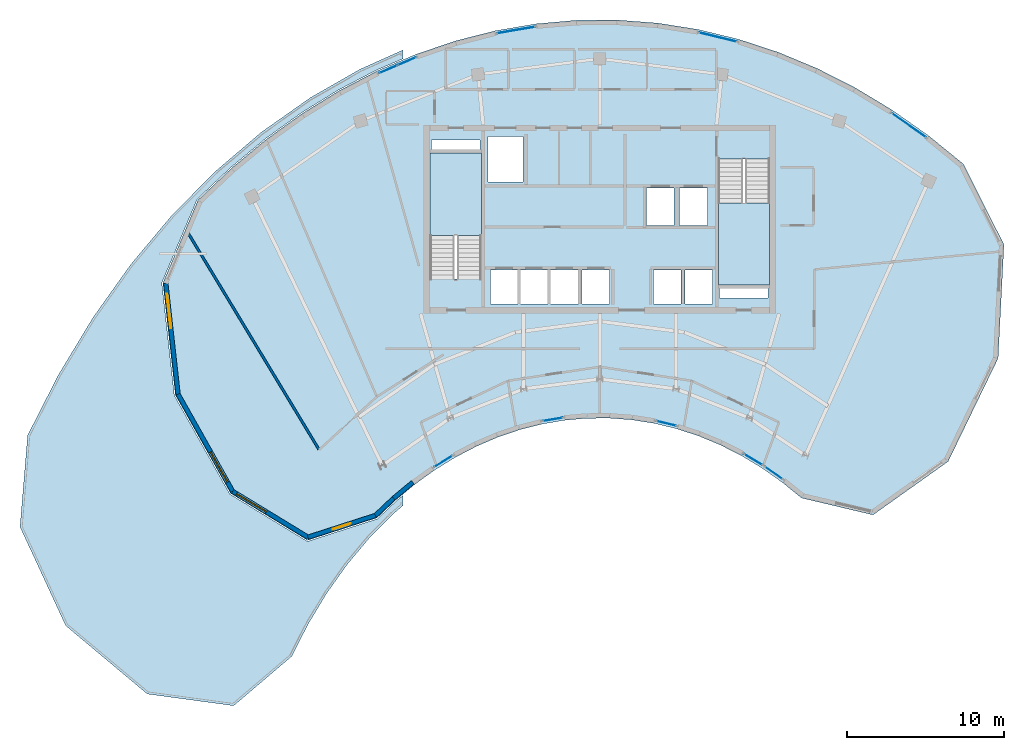
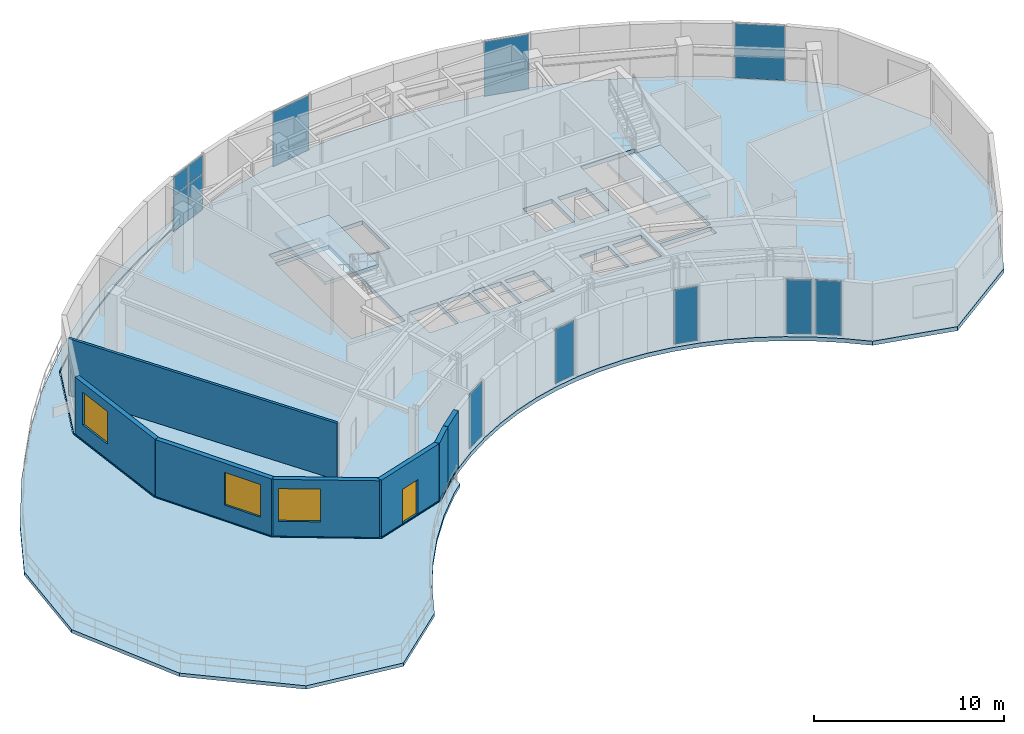
# One storey, part 5 of 11: 12 plates, 7 walls, 4 slabs, 3 windows, 1 door, 4 openings, 11 elements without a shape of their own.
"""IFC4 building model written with IfcOpenShell, lengths in metres."""

import ifcopenshell
import ifcopenshell.guid

model = None  # the IFC model being written
_history = None  # IfcOwnerHistory: only IFC2X3 demands one
_inside = {}  # id of a spatial element -> (the spatial element, [elements in it])
_under = {}  # id of a project, library or spatial element -> (it, [spatial elements below it])
_declared = {}  # id of a project -> (the project, [libraries it declares])
_typed = {}  # id of a type object -> (the type object, [elements of that type])
_made_of = {}  # id of a material, layer set ... -> (it, [elements and type objects made of it])


def new_model(schema):
    """Start an empty IFC model of exactly this schema.

    Asked for "IFC4X3", IfcOpenShell would pick the latest addendum, in which some entities
    have other attributes; the version numbers below select the first issue.
    IFC2X3 requires an IfcOwnerHistory on every rooted entity: one is made here for all.
    """
    global model, _history
    if schema == "IFC4X3":
        model = ifcopenshell.file(schema_version=(4, 3, 0, 0))
    else:
        model = ifcopenshell.file(schema=schema)
    _inside.clear()
    _under.clear()
    _declared.clear()
    _typed.clear()
    _made_of.clear()
    _history = None
    if model.schema == "IFC2X3":
        org = make("IfcOrganization", Name="unknown")
        user = make(
            "IfcPersonAndOrganization",
            ThePerson=make("IfcPerson", FamilyName="unknown"),
            TheOrganization=org,
        )
        app = make(
            "IfcApplication",
            ApplicationDeveloper=org,
            Version="unknown",
            ApplicationFullName="unknown",
            ApplicationIdentifier="unknown",
        )
        _history = make(
            "IfcOwnerHistory",
            OwningUser=user,
            OwningApplication=app,
            ChangeAction="ADDED",
            CreationDate=0,
        )
    return model


def make(cls, **values):
    """One entity of the class cls with the attributes given. An attribute that is None is left unset."""
    return model.create_entity(
        cls, **{name: value for name, value in values.items() if value is not None}
    )


def rooted(cls, **values):
    """An entity with a GlobalId (a new one), such as an element, a storey or a relation."""
    return make(cls, GlobalId=ifcopenshell.guid.new(), OwnerHistory=_history, **values)


def si_unit(unit_type, name, prefix=None):
    """IfcSIUnit, for example si_unit("LENGTHUNIT", "METRE", prefix="MILLI")."""
    return make("IfcSIUnit", UnitType=unit_type, Prefix=prefix, Name=name)


def assignment(units):
    """IfcUnitAssignment: the units of a project."""
    return None if units is None else make("IfcUnitAssignment", Units=units)


def point(xyz):
    """IfcCartesianPoint."""
    return None if xyz is None else make("IfcCartesianPoint", Coordinates=xyz)


def direction(xyz):
    """IfcDirection."""
    return None if xyz is None else make("IfcDirection", DirectionRatios=xyz)


def frame(location, z_axis=None, x_axis=None):
    """IfcAxis2Placement3D, a coordinate frame: its origin and axes. An axis left out is left unset."""
    return make(
        "IfcAxis2Placement3D",
        Location=point(location),
        Axis=direction(z_axis),
        RefDirection=direction(x_axis),
    )


def frame_2d(location, x_axis=None):
    """IfcAxis2Placement2D, a coordinate frame in the plane: its origin and x axis."""
    return make(
        "IfcAxis2Placement2D", Location=point(location), RefDirection=direction(x_axis)
    )


def origin():
    """The frame at (0, 0, 0) with its axes left unset."""
    return frame((0.0, 0.0, 0.0))


def origin_2d():
    """The frame at (0, 0) in the plane with its x axis left unset."""
    return frame_2d((0.0, 0.0))


def place(relative_to, where):
    """IfcLocalPlacement: puts the frame where relative to a parent placement (None: the world)."""
    return make(
        "IfcLocalPlacement", PlacementRelTo=relative_to, RelativePlacement=where
    )


def context(
    kind, dimensions, precision=None, world=None, true_north=None, identifier=None
):
    """IfcGeometricRepresentationContext, for example the 3D "Model" context."""
    return make(
        "IfcGeometricRepresentationContext",
        ContextIdentifier=identifier,
        ContextType=kind,
        CoordinateSpaceDimension=dimensions,
        Precision=precision,
        WorldCoordinateSystem=world,
        TrueNorth=true_north,
    )


def subcontext(parent, identifier, kind, view, scale=None):
    """IfcGeometricRepresentationSubContext, for example "Body" below "Model"."""
    return make(
        "IfcGeometricRepresentationSubContext",
        ContextIdentifier=identifier,
        ContextType=kind,
        ParentContext=parent,
        TargetScale=scale,
        TargetView=view,
    )


def project(units=None, contexts=None):
    """IfcProject with its units and contexts."""
    return rooted(
        "IfcProject",
        Name="project",
        RepresentationContexts=contexts,
        UnitsInContext=assignment(units),
    )


def spatial(cls, under=None, at=None, **own):
    """A site, building, storey or space (cls), placed at a placement, below another one or the project."""
    s = rooted(cls, ObjectPlacement=at, **own)
    if under is not None:
        _under.setdefault(under.id(), (under, []))[1].append(s)
    return s


def polyline(points):
    """IfcPolyline through the points."""
    return make("IfcPolyline", Points=[point(p) for p in points])


def profile(cls, at=None, kind="AREA", **sizes):
    """A parametric profile (cls). Its sizes go by their IFC names, for example OverallWidth=200.0."""
    return make(cls, ProfileType=kind, Position=at, **sizes)


def rectangle(**sizes):
    """IfcRectangleProfileDef."""
    return profile("IfcRectangleProfileDef", **sizes)


def outline(outer, holes=None, kind="AREA"):
    """IfcArbitraryClosedProfileDef: a profile drawn as a closed curve; with holes, ...WithVoids."""
    if holes is None:
        return make("IfcArbitraryClosedProfileDef", ProfileType=kind, OuterCurve=outer)
    return make(
        "IfcArbitraryProfileDefWithVoids",
        ProfileType=kind,
        OuterCurve=outer,
        InnerCurves=holes,
    )


def extrude(swept, where, along, depth):
    """IfcExtrudedAreaSolid: the profile swept, set in the frame where, extruded along a direction by depth."""
    return make(
        "IfcExtrudedAreaSolid",
        SweptArea=swept,
        Position=where,
        ExtrudedDirection=direction(along),
        Depth=depth,
    )


def shape(context_of_items, identifier, shape_type, items):
    """IfcShapeRepresentation: the items that make up one representation, for example the "Body"."""
    return make(
        "IfcShapeRepresentation",
        ContextOfItems=context_of_items,
        RepresentationIdentifier=identifier,
        RepresentationType=shape_type,
        Items=items,
    )


def source(mapping_origin, context_of_items, identifier, shape_type, items):
    """IfcRepresentationMap: a shape defined once, which mapped items show again and again."""
    return make(
        "IfcRepresentationMap",
        MappingOrigin=mapping_origin,
        MappedRepresentation=shape(context_of_items, identifier, shape_type, items),
    )


def transform(
    local_origin,
    x_axis=None,
    y_axis=None,
    z_axis=None,
    scale=None,
    scale2=None,
    scale3=None,
    uniform=True,
):
    """IfcCartesianTransformationOperator3D, or its non-uniform kind. x_axis, y_axis, z_axis: its Axis1, 2, 3."""
    if uniform:
        return make(
            "IfcCartesianTransformationOperator3D",
            Axis1=direction(x_axis),
            Axis2=direction(y_axis),
            LocalOrigin=point(local_origin),
            Scale=scale,
            Axis3=direction(z_axis),
        )
    return make(
        "IfcCartesianTransformationOperator3DnonUniform",
        Axis1=direction(x_axis),
        Axis2=direction(y_axis),
        LocalOrigin=point(local_origin),
        Scale=scale,
        Axis3=direction(z_axis),
        Scale2=scale2,
        Scale3=scale3,
    )


def mapped(mapping_source, mapping_target):
    """IfcMappedItem: shows the shape of a source again, moved by a transform."""
    return make(
        "IfcMappedItem", MappingSource=mapping_source, MappingTarget=mapping_target
    )


def material(Name=None, Category=None):
    """IfcMaterial."""
    return make("IfcMaterial", Name=Name, Category=Category)


def layer(
    of_material, thickness, ventilated=None, Name=None, Category=None, Priority=None
):
    """IfcMaterialLayer: one layer of a wall or slab, of a material (None: an air gap)."""
    return make(
        "IfcMaterialLayer",
        Material=of_material,
        LayerThickness=thickness,
        IsVentilated=ventilated,
        Name=Name,
        Category=Category,
        Priority=Priority,
    )


def layer_set(layers, Name=None):
    """IfcMaterialLayerSet."""
    return make("IfcMaterialLayerSet", MaterialLayers=layers, LayerSetName=Name)


def made_of(thing, what):
    """Note that an element or type object is made of a material, layer set ...; save() writes the relation."""
    if what is not None:
        _made_of.setdefault(what.id(), (what, []))[1].append(thing)
    return thing


def type_object(cls, material=None, **own):
    """A type object (cls), such as IfcWallType, which elements share."""
    return made_of(rooted(cls, **own), material)


def type_shapes(of_type, sources):
    """Give a type object the sources (RepresentationMaps) that its elements show as mapped items."""
    of_type.RepresentationMaps = sources


def element(
    cls,
    number,
    at=None,
    inside=None,
    cuts=None,
    type_object=None,
    material=None,
    context=None,
    identifier="Body",
    shape_type=None,
    held_by="IfcProductDefinitionShape",
    body=None,
    shapes=None,
    **own,
):
    """One element of the class cls, such as IfcWall. Its Tag is "e" and its number.

    at: its placement. inside: the storey or other place that contains it. cuts: it is an
    opening in that element (IfcRelVoidsElement). A single representation is given by context,
    identifier, shape_type and body (its items); several are given by shapes. held_by: the class
    of the entity that holds the representations. save() writes the other relations.
    """
    e = rooted(cls, Tag="e%d" % number, ObjectPlacement=at, **own)
    if body is not None:
        shapes = [shape(context, identifier, shape_type, body)]
    if shapes is not None:
        e.Representation = make(held_by, Representations=shapes)
    if inside is not None:
        _inside.setdefault(inside.id(), (inside, []))[1].append(e)
    if cuts is not None:
        rooted(
            "IfcRelVoidsElement", RelatingBuildingElement=cuts, RelatedOpeningElement=e
        )
    if type_object is not None:
        _typed.setdefault(type_object.id(), (type_object, []))[1].append(e)
    return made_of(e, material)


def fill(opening, filler):
    """IfcRelFillsElement: the door or window that sits in an opening."""
    return rooted(
        "IfcRelFillsElement",
        RelatingOpeningElement=opening,
        RelatedBuildingElement=filler,
    )


def aggregate(whole, parts):
    """IfcRelAggregates: a whole, such as a stair, and the parts it consists of."""
    return rooted("IfcRelAggregates", RelatingObject=whole, RelatedObjects=parts)


def save(model, path):
    """Write the relations noted so far, then the file.

    IfcRelAggregates (storeys below a building ...), IfcRelContainedInSpatialStructure (elements
    in a storey), IfcRelDefinesByType, IfcRelAssociatesMaterial and IfcRelDeclares: one each for
    every whole, place, type object, material and project.
    """
    for whole, parts in _under.values():
        aggregate(whole, parts)
    for where, things in _inside.values():
        rooted(
            "IfcRelContainedInSpatialStructure",
            RelatedElements=things,
            RelatingStructure=where,
        )
    for kind, things in _typed.values():
        rooted("IfcRelDefinesByType", RelatedObjects=things, RelatingType=kind)
    for what, things in _made_of.values():
        rooted("IfcRelAssociatesMaterial", RelatedObjects=things, RelatingMaterial=what)
    for by, libraries in _declared.values():
        rooted("IfcRelDeclares", RelatingContext=by, RelatedDefinitions=libraries)
    model.write(path)


model = new_model("IFC4")

# Units and contexts
model_context = context("Model", 3, precision=1e-05, world=origin(), true_north=direction((0.0, 1.0)))
body_context = subcontext(model_context, "Body", "Model", "MODEL_VIEW")
ifc_project = project(units=[si_unit("LENGTHUNIT", "METRE"), si_unit("AREAUNIT", "SQUARE_METRE"), si_unit("VOLUMEUNIT", "CUBIC_METRE"), si_unit("PLANEANGLEUNIT", "RADIAN"), si_unit("MASSUNIT", "GRAM", prefix="KILO")], contexts=[model_context])

# Site, building, storey
site_placement = place(None, origin())
site = spatial("IfcSite", under=ifc_project, at=site_placement, CompositionType="ELEMENT")
building_placement = place(site_placement, origin())
building = spatial("IfcBuilding", under=site, at=building_placement, Name="Breltana Convention Tower", CompositionType="ELEMENT")
storey_placement = place(building_placement, frame((0.0, 0.0, 275.699951171875)))
storey = spatial("IfcBuildingStorey", under=building, at=storey_placement, Name="L67", CompositionType="ELEMENT", Elevation=275.699951171875)

# Stair, slab
ifc_material_1 = material(Name="Concrete C40/50", Category="concrete")
stair_type = type_object("IfcStairType", Name="ST-DOG-1560-R177", PredefinedType="HALF_TURN_STAIR", material=ifc_material_1)
stair_1_placement = place(storey_placement, origin())
stair_1 = element("IfcStair", 1, at=stair_1_placement, inside=storey, type_object=stair_type, Name="L67 Protected Core Exit Stair ST-1", PredefinedType="HALF_TURN_STAIR")
ifc_layer_1 = layer(ifc_material_1, 0.199951171875, Name="Concrete C40/50")
ifc_layer_set_1 = layer_set([ifc_layer_1], Name="Concrete C40/50")
slab_type_1 = type_object("IfcSlabType", Name="SL-STAIR-LANDING-200", PredefinedType="LANDING", material=ifc_layer_set_1)
slab_1_placement = place(storey_placement, frame((0.0, 0.0, 1.75)))
slab_1 = element("IfcSlab", 2, at=slab_1_placement, type_object=slab_type_1, Name="ST-1 landing 1", PredefinedType="LANDING", context=body_context, shape_type="SweptSolid", body=[
    extrude(outline(polyline([(40.469970703125, 65.159912109375), (40.469970703125, 70.39990234375), (37.199951171875, 70.39990234375), (37.199951171875, 65.159912109375), (40.469970703125, 65.159912109375)])), origin(), (0.0, 0.0, 1.0), 0.199951171875),
])
aggregate(stair_1, [slab_1])

stair_2_placement = place(storey_placement, origin())
stair_2 = element("IfcStair", 3, at=stair_2_placement, inside=storey, type_object=stair_type, Name="L67 Protected Core Exit Stair ST-2", PredefinedType="HALF_TURN_STAIR")
slab_2_placement = place(storey_placement, frame((0.0, 0.0, 1.75)))
slab_2 = element("IfcSlab", 4, at=slab_2_placement, type_object=slab_type_1, Name="ST-2 landing 1", PredefinedType="LANDING", context=body_context, shape_type="SweptSolid", body=[
    extrude(outline(polyline([(55.530029296875, 67.239990234375), (55.530029296875, 62.0), (58.800048828125, 62.0), (58.800048828125, 67.239990234375), (55.530029296875, 67.239990234375)])), origin(), (0.0, 0.0, 1.0), 0.199951171875),
])
aggregate(stair_2, [slab_2])

# Slabs
ifc_layer_2 = layer(ifc_material_1, 0.219970703125, Name="Concrete C40/50")
ifc_layer_set_2 = layer_set([ifc_layer_2], Name="Concrete C40/50")
slab_type_2 = type_object("IfcSlabType", Name="SL-TERR-220", PredefinedType="FLOOR", material=ifc_layer_set_2)
slab_3_placement = place(storey_placement, frame((0.0, 0.0, -0.219970703125)))
element("IfcSlab", 5, at=slab_3_placement, inside=storey, type_object=slab_type_2, Name="L67 West Crescent Shoulder Sky Terrace 1", PredefinedType="FLOOR", context=body_context, shape_type="SweptSolid", body=[
    extrude(outline(polyline([(34.8330078125, 47.433349609375), (33.337646484375, 45.919189453125), (31.93896484375, 44.247802734375), (30.645751953125, 42.4296875), (29.466796875, 40.477294921875), (28.41015625, 38.403076171875), (24.71630859375, 35.262939453125), (19.2265625, 36.00732421875), (14.03759765625, 40.35205078125), (11.1318359375, 46.6376953125), (11.61865234375, 52.462890625), (13.58154296875, 56.314697265625), (15.770751953125, 59.94091796875), (18.172119140625, 63.317138671875), (20.77001953125, 66.42138671875), (23.547119140625, 69.233154296875), (26.485107421875, 71.734130859375), (29.56494140625, 73.90771484375), (32.765869140625, 75.739501953125), (35.5, 76.96337890625), (35.5, 76.40185546875), (33.80615234375, 75.67529296875), (33.80224609375, 75.673583984375), (31.3857421875, 74.414306640625), (31.382080078125, 74.412109375), (29.02734375, 72.95751953125), (29.023681640625, 72.955322265625), (26.739990234375, 71.310791015625), (26.73681640625, 71.308349609375), (24.531982421875, 69.47998046875), (24.529052734375, 69.4775390625), (22.41162109375, 67.472412109375), (22.407470703125, 67.468017578125), (22.40380859375, 67.462890625), (22.400390625, 67.457763671875), (22.397705078125, 67.4521484375), (20.16162109375, 62.166015625), (20.159423828125, 62.16015625), (20.157958984375, 62.154296875), (20.156982421875, 62.148193359375), (20.15673828125, 62.14208984375), (20.1572265625, 62.135986328125), (20.947509765625, 55.006103515625), (20.948486328125, 55.000244140625), (20.949951171875, 54.994384765625), (20.9521484375, 54.98876953125), (20.954833984375, 54.9833984375), (24.4697265625, 48.733154296875), (24.472900390625, 48.727783203125), (24.476806640625, 48.72314453125), (24.48095703125, 48.71875), (24.485595703125, 48.714599609375), (24.49072265625, 48.711181640625), (29.3876953125, 45.72802734375), (29.392578125, 45.725341796875), (29.39794921875, 45.72314453125), (29.4033203125, 45.72119140625), (29.408935546875, 45.72021484375), (29.41455078125, 45.719482421875), (29.42041015625, 45.71923828125), (29.426025390625, 45.7197265625), (29.431640625, 45.720703125), (29.437255859375, 45.72216796875), (33.845703125, 47.1455078125), (33.8505859375, 47.147216796875), (33.855712890625, 47.149658203125), (33.860107421875, 47.15234375), (33.864501953125, 47.155517578125), (33.86865234375, 47.158935546875), (35.041748046875, 48.27001953125), (35.5, 48.64990234375), (35.5, 48.0009765625), (34.8330078125, 47.433349609375)])), origin(), (0.0, 0.0, 1.0), 0.219970703125),
])
ifc_layer_3 = layer(ifc_material_1, 0.260009765625, Name="Concrete C40/50")
ifc_layer_set_3 = layer_set([ifc_layer_3], Name="Concrete C40/50")
slab_type_3 = type_object("IfcSlabType", Name="SL-UPP-260", PredefinedType="FLOOR", material=ifc_layer_set_3)
slab_4_placement = place(storey_placement, frame((0.0, 0.0, -0.260009765625)))
element("IfcSlab", 6, at=slab_4_placement, inside=storey, type_object=slab_type_3, Name="L67 Suspended Structural Floor Slab", PredefinedType="FLOOR", context=body_context, shape_type="SweptSolid", body=[
    extrude(outline(polyline([(71.119873046875, 69.7060546875), (68.9033203125, 71.50830078125), (66.60888671875, 73.126220703125), (64.244873046875, 74.552978515625), (61.8203125, 75.783935546875), (59.34423828125, 76.814208984375), (56.825927734375, 77.639892578125), (54.2744140625, 78.25830078125), (51.69970703125, 78.66650390625), (49.111083984375, 78.863525390625), (46.5185546875, 78.848388671875), (43.931396484375, 78.62109375), (41.359375, 78.1826171875), (38.81201171875, 77.53466796875), (36.29931640625, 76.679443359375), (33.829833984375, 75.620361328125), (31.41357421875, 74.361083984375), (29.058837890625, 72.906494140625), (26.77490234375, 71.26220703125), (24.5703125, 69.433837890625), (22.452880859375, 67.4287109375), (20.216796875, 62.142578125), (21.007080078125, 55.0126953125), (24.52197265625, 48.762451171875), (29.418701171875, 45.779296875), (33.827392578125, 47.202392578125), (35.001953125, 48.31494140625), (36.22509765625, 49.3291015625), (37.491943359375, 50.241455078125), (38.79833984375, 51.04833984375), (40.138916015625, 51.746826171875), (41.5087890625, 52.33447265625), (42.90283203125, 52.80908203125), (44.31591796875, 53.16845703125), (45.742919921875, 53.41162109375), (47.177978515625, 53.537841796875), (48.616455078125, 53.546142578125), (50.052490234375, 53.43701171875), (51.48095703125, 53.21044921875), (52.896240234375, 52.867431640625), (54.29345703125, 52.4091796875), (55.6669921875, 51.837646484375), (57.01220703125, 51.15478515625), (58.323486328125, 50.36328125), (59.5966796875, 49.4658203125), (60.826171875, 48.4658203125), (65.370849609375, 47.394775390625), (70.1455078125, 50.789306640625), (73.326416015625, 57.352783203125), (73.698486328125, 64.57861328125), (71.119873046875, 69.7060546875)]), holes=[polyline([(37.199951171875, 62.385009765625), (40.469970703125, 62.385009765625), (40.469970703125, 70.39990234375), (37.199951171875, 70.39990234375), (37.199951171875, 62.385009765625)]), polyline([(55.530029296875, 62.0), (58.800048828125, 62.0), (58.800048828125, 70.014892578125), (55.530029296875, 70.014892578125), (55.530029296875, 62.0)]), polyline([(41.0400390625, 60.800048828125), (42.800048828125, 60.800048828125), (42.800048828125, 62.97998046875), (41.0400390625, 62.97998046875), (41.0400390625, 60.800048828125)]), polyline([(42.93994140625, 60.800048828125), (44.699951171875, 60.800048828125), (44.699951171875, 62.97998046875), (42.93994140625, 62.97998046875), (42.93994140625, 60.800048828125)]), polyline([(44.8701171875, 60.800048828125), (46.6298828125, 60.800048828125), (46.6298828125, 62.97998046875), (44.8701171875, 62.97998046875), (44.8701171875, 60.800048828125)]), polyline([(46.8701171875, 60.800048828125), (48.6298828125, 60.800048828125), (48.6298828125, 62.97998046875), (46.8701171875, 62.97998046875), (46.8701171875, 60.800048828125)]), polyline([(51.39990234375, 60.800048828125), (53.159912109375, 60.800048828125), (53.159912109375, 62.97998046875), (51.39990234375, 62.97998046875), (51.39990234375, 60.800048828125)]), polyline([(53.39990234375, 60.800048828125), (55.159912109375, 60.800048828125), (55.159912109375, 62.97998046875), (53.39990234375, 62.97998046875), (53.39990234375, 60.800048828125)]), polyline([(50.969970703125, 65.800048828125), (52.72998046875, 65.800048828125), (52.72998046875, 68.179931640625), (50.969970703125, 68.179931640625), (50.969970703125, 65.800048828125)]), polyline([(53.070068359375, 65.800048828125), (54.830078125, 65.800048828125), (54.830078125, 68.179931640625), (53.070068359375, 68.179931640625), (53.070068359375, 65.800048828125)]), polyline([(40.8798828125, 68.550048828125), (43.1201171875, 68.550048828125), (43.1201171875, 71.449951171875), (40.8798828125, 71.449951171875), (40.8798828125, 68.550048828125)]), polyline([(37.300048828125, 70.60009765625), (40.3798828125, 70.60009765625), (40.3798828125, 71.219970703125), (37.300048828125, 71.219970703125), (37.300048828125, 70.60009765625)]), polyline([(55.6201171875, 61.179931640625), (58.699951171875, 61.179931640625), (58.699951171875, 61.800048828125), (55.6201171875, 61.800048828125), (55.6201171875, 61.179931640625)])]), origin(), (0.0, 0.0, 1.0), 0.260009765625),
])

# Curtain wall, plate
ifc_material_2 = material(Name="Aluminium Anodised Bronze Frame", Category="aluminium")
ifc_layer_4 = layer(ifc_material_2, 0.18994140625, Name="Aluminium Anodised Bronze Frame")
ifc_layer_set_4 = layer_set([ifc_layer_4], Name="Aluminium Anodised Bronze Frame")
curtain_wall_type_1 = type_object("IfcCurtainWallType", Name="CW-SYS-1", PredefinedType="NOTDEFINED", material=ifc_layer_set_4)
curtain_wall_1_placement = place(storey_placement, origin())
curtain_wall_1 = element("IfcCurtainWall", 7, at=curtain_wall_1_placement, inside=storey, type_object=curtain_wall_type_1, Name="L67 inner south-court glazing 1", PredefinedType="NOTDEFINED")
ifc_material_3 = material(Name="Glass Low-E Double Glazing", Category="glass")
ifc_layer_5 = layer(ifc_material_3, 0.028076171875, Name="Glass Low-E Double Glazing")
ifc_layer_set_5 = layer_set([ifc_layer_5], Name="Glass Low-E Double Glazing")
plate_type_1 = type_object("IfcPlateType", Name="CWP-IGU-28", PredefinedType="CURTAIN_PANEL", material=ifc_layer_set_5)
shared_shape_1 = source(origin(), body_context, "Body", "SweptSolid", [
    extrude(rectangle(XDim=1.3974609375, YDim=0.028076171875, at=origin_2d()), origin(), (0.0, 0.0, 1.0), 3.47998046875),
])
plate_1_placement = place(storey_placement, frame((59.063720703125, 50.0615234375, 0.080078125), z_axis=(0.0, 0.0, 1.0), x_axis=(-0.817327132857, 0.576173895534, 0.0)))
plate_1 = element("IfcPlate", 8, at=plate_1_placement, type_object=plate_type_1, Name="CW-01 panel 1.1", PredefinedType="CURTAIN_PANEL", context=body_context, shape_type="MappedRepresentation", body=[
    mapped(shared_shape_1, transform((0.0, 0.0, 0.0), scale=1.0)),
])
aggregate(curtain_wall_1, [plate_1])

curtain_wall_2_placement = place(storey_placement, origin())
curtain_wall_2 = element("IfcCurtainWall", 9, at=curtain_wall_2_placement, inside=storey, type_object=curtain_wall_type_1, Name="L67 inner south-court glazing 2", PredefinedType="NOTDEFINED")
shared_shape_2 = source(origin(), body_context, "Body", "SweptSolid", [
    extrude(rectangle(XDim=1.371826171875, YDim=0.028076171875, at=origin_2d()), origin(), (0.0, 0.0, 1.0), 3.47998046875),
])
plate_2_placement = place(storey_placement, frame((57.760986328125, 50.9130859375, 0.080078125), z_axis=(0.0, 0.0, 1.0), x_axis=(-0.856090059164, 0.516826673654, 0.0)))
plate_2 = element("IfcPlate", 10, at=plate_2_placement, type_object=plate_type_1, Name="CW-01 panel 1.1", PredefinedType="CURTAIN_PANEL", context=body_context, shape_type="MappedRepresentation", body=[
    mapped(shared_shape_2, transform((0.0, 0.0, 0.0), scale=1.0)),
])
aggregate(curtain_wall_2, [plate_2])

curtain_wall_3_placement = place(storey_placement, origin())
curtain_wall_3 = element("IfcCurtainWall", 11, at=curtain_wall_3_placement, inside=storey, type_object=curtain_wall_type_1, Name="L67 inner south-court glazing 3", PredefinedType="NOTDEFINED")
shared_shape_3 = source(origin(), body_context, "Body", "SweptSolid", [
    extrude(rectangle(XDim=1.29638671875, YDim=0.028076171875, at=origin_2d()), origin(), (0.0, 0.0, 1.0), 3.47998046875),
])
plate_3_placement = place(storey_placement, frame((52.23095703125, 53.2138671875, 0.080078125), z_axis=(0.0, 0.0, 1.0), x_axis=(-0.97187011181, 0.235517485062, 0.0)))
plate_3 = element("IfcPlate", 12, at=plate_3_placement, type_object=plate_type_1, Name="CW-01 panel 1.1", PredefinedType="CURTAIN_PANEL", context=body_context, shape_type="MappedRepresentation", body=[
    mapped(shared_shape_3, transform((0.0, 0.0, 0.0), scale=1.0)),
])
aggregate(curtain_wall_3, [plate_3])

curtain_wall_4_placement = place(storey_placement, origin())
curtain_wall_4 = element("IfcCurtainWall", 13, at=curtain_wall_4_placement, inside=storey, type_object=curtain_wall_type_1, Name="L67 inner south-court glazing 4", PredefinedType="NOTDEFINED")
shared_shape_4 = source(origin(), body_context, "Body", "SweptSolid", [
    extrude(rectangle(XDim=1.287353515625, YDim=0.028076171875, at=origin_2d()), origin(), (0.0, 0.0, 1.0), 3.47998046875),
])
plate_4_placement = place(storey_placement, frame((44.999267578125, 53.467529296875, 0.080078125), z_axis=(0.0, 0.0, 1.0), x_axis=(-0.985782236223, -0.168027922521, 0.0)))
plate_4 = element("IfcPlate", 14, at=plate_4_placement, type_object=plate_type_1, Name="CW-01 panel 1.1", PredefinedType="CURTAIN_PANEL", context=body_context, shape_type="MappedRepresentation", body=[
    mapped(shared_shape_4, transform((0.0, 0.0, 0.0), scale=1.0)),
])
aggregate(curtain_wall_4, [plate_4])

curtain_wall_5_placement = place(storey_placement, origin())
curtain_wall_5 = element("IfcCurtainWall", 15, at=curtain_wall_5_placement, inside=storey, type_object=curtain_wall_type_1, Name="L67 inner south-court glazing 5", PredefinedType="NOTDEFINED")
shared_shape_5 = source(origin(), body_context, "Body", "SweptSolid", [
    extrude(rectangle(XDim=1.37548828125, YDim=0.028076171875, at=origin_2d()), origin(), (0.0, 0.0, 1.0), 3.47998046875),
])
plate_5_placement = place(storey_placement, frame((38.050537109375, 50.798095703125, 0.080078125), z_axis=(0.0, 0.0, 1.0), x_axis=(-0.850749179302, -0.525571911271, 0.0)))
plate_5 = element("IfcPlate", 16, at=plate_5_placement, type_object=plate_type_1, Name="CW-01 panel 1.1", PredefinedType="CURTAIN_PANEL", context=body_context, shape_type="MappedRepresentation", body=[
    mapped(shared_shape_5, transform((0.0, 0.0, 0.0), scale=1.0)),
])
aggregate(curtain_wall_5, [plate_5])

# Curtain wall, plates
ifc_layer_6 = layer(ifc_material_2, 0.22998046875, Name="Aluminium Anodised Bronze Frame")
ifc_layer_set_6 = layer_set([ifc_layer_6], Name="Aluminium Anodised Bronze Frame")
curtain_wall_type_2 = type_object("IfcCurtainWallType", Name="CW-SYS-5", PredefinedType="NOTDEFINED", material=ifc_layer_set_6)
curtain_wall_6_placement = place(storey_placement, origin())
curtain_wall_6 = element("IfcCurtainWall", 17, at=curtain_wall_6_placement, inside=storey, type_object=curtain_wall_type_2, Name="L67 outer double-skin inner glazing 1", PredefinedType="NOTDEFINED")
ifc_layer_7 = layer(ifc_material_3, 0.035888671875, Name="Glass Low-E Double Glazing")
ifc_layer_set_7 = layer_set([ifc_layer_7], Name="Glass Low-E Double Glazing")
plate_type_2 = type_object("IfcPlateType", Name="CWP-IGU-36", PredefinedType="CURTAIN_PANEL", material=ifc_layer_set_7)
shared_shape_6 = source(origin(), body_context, "Body", "SweptSolid", [
    extrude(rectangle(XDim=1.231689453125, YDim=0.035888671875, at=origin_2d()), origin(), (0.0, 0.0, 1.0), 2.260986328125),
])
plate_6_placement = place(storey_placement, frame((34.537353515625, 75.727783203125, 0.06982421875), z_axis=(0.0, 0.0, 1.0), x_axis=(0.919032765, 0.394181147261, 0.0)))
plate_6 = element("IfcPlate", 18, at=plate_6_placement, type_object=plate_type_2, Name="CW-05 panel 1.1", PredefinedType="CURTAIN_PANEL", context=body_context, shape_type="MappedRepresentation", body=[
    mapped(shared_shape_6, transform((0.0, 0.0, 0.0), scale=1.0)),
])
plate_7_placement = place(storey_placement, frame((35.733642578125, 76.240966796875, 0.06982421875), z_axis=(0.0, 0.0, 1.0), x_axis=(0.919032765, 0.394181147261, 0.0)))
plate_7 = element("IfcPlate", 19, at=plate_7_placement, type_object=plate_type_2, Name="CW-05 panel 2.1", PredefinedType="CURTAIN_PANEL", context=body_context, shape_type="MappedRepresentation", body=[
    mapped(shared_shape_6, transform((0.0, 0.0, 0.0), scale=1.0)),
])
shared_shape_7 = source(origin(), body_context, "Body", "SweptSolid", [
    extrude(rectangle(XDim=1.231689453125, YDim=0.035888671875, at=origin_2d()), origin(), (0.0, 0.0, 1.0), 1.1689453125),
])
plate_8_placement = place(storey_placement, frame((34.537353515625, 75.727783203125, 2.401123046875), z_axis=(0.0, 0.0, 1.0), x_axis=(0.919032765, 0.394181147261, 0.0)))
plate_8 = element("IfcPlate", 20, at=plate_8_placement, type_object=plate_type_2, Name="CW-05 panel 1.2", PredefinedType="CURTAIN_PANEL", context=body_context, shape_type="MappedRepresentation", body=[
    mapped(shared_shape_7, transform((0.0, 0.0, 0.0), scale=1.0)),
])
plate_9_placement = place(storey_placement, frame((35.733642578125, 76.240966796875, 2.401123046875), z_axis=(0.0, 0.0, 1.0), x_axis=(0.919032765, 0.394181147261, 0.0)))
plate_9 = element("IfcPlate", 21, at=plate_9_placement, type_object=plate_type_2, Name="CW-05 panel 2.2", PredefinedType="CURTAIN_PANEL", context=body_context, shape_type="MappedRepresentation", body=[
    mapped(shared_shape_7, transform((0.0, 0.0, 0.0), scale=1.0)),
])
aggregate(curtain_wall_6, [plate_6, plate_8, plate_7, plate_9])

# Curtain wall, plate
curtain_wall_7_placement = place(storey_placement, origin())
curtain_wall_7 = element("IfcCurtainWall", 22, at=curtain_wall_7_placement, inside=storey, type_object=curtain_wall_type_2, Name="L67 outer double-skin inner glazing 2", PredefinedType="NOTDEFINED")
shared_shape_8 = source(origin(), body_context, "Body", "SweptSolid", [
    extrude(rectangle(XDim=2.454345703125, YDim=0.035888671875, at=origin_2d()), origin(), (0.0, 0.0, 1.0), 3.5),
])
plate_10_placement = place(storey_placement, frame((42.675537109375, 78.224365234375, 0.070068359375), z_axis=(0.0, 0.0, 1.0), x_axis=(0.985784110175, 0.168016928095, 0.0)))
plate_10 = element("IfcPlate", 23, at=plate_10_placement, type_object=plate_type_2, Name="CW-05 panel 1.1", PredefinedType="CURTAIN_PANEL", context=body_context, shape_type="MappedRepresentation", body=[
    mapped(shared_shape_8, transform((0.0, 0.0, 0.0), scale=1.0)),
])
aggregate(curtain_wall_7, [plate_10])

curtain_wall_8_placement = place(storey_placement, origin())
curtain_wall_8 = element("IfcCurtainWall", 24, at=curtain_wall_8_placement, inside=storey, type_object=curtain_wall_type_2, Name="L67 outer double-skin inner glazing 3", PredefinedType="NOTDEFINED")
shared_shape_9 = source(origin(), body_context, "Body", "SweptSolid", [
    extrude(rectangle(XDim=2.470947265625, YDim=0.035888671875, at=origin_2d()), origin(), (0.0, 0.0, 1.0), 3.5),
])
plate_11_placement = place(storey_placement, frame((55.5078125, 77.774169921875, 0.070068359375), z_axis=(0.0, 0.0, 1.0), x_axis=(0.971870033767, -0.235517807109, 0.0)))
plate_11 = element("IfcPlate", 25, at=plate_11_placement, type_object=plate_type_2, Name="CW-05 panel 1.1", PredefinedType="CURTAIN_PANEL", context=body_context, shape_type="MappedRepresentation", body=[
    mapped(shared_shape_9, transform((0.0, 0.0, 0.0), scale=1.0)),
])
aggregate(curtain_wall_8, [plate_11])

curtain_wall_9_placement = place(storey_placement, origin())
curtain_wall_9 = element("IfcCurtainWall", 26, at=curtain_wall_9_placement, inside=storey, type_object=curtain_wall_type_2, Name="L67 outer double-skin inner glazing 4", PredefinedType="NOTDEFINED")
shared_shape_10 = source(origin(), body_context, "Body", "SweptSolid", [
    extrude(rectangle(XDim=2.65478515625, YDim=0.035888671875, at=origin_2d()), origin(), (0.0, 0.0, 1.0), 3.5),
])
plate_12_placement = place(storey_placement, frame((67.652587890625, 72.170166015625, 0.070068359375), z_axis=(0.0, 0.0, 1.0), x_axis=(0.817284057658, -0.576234994683, 0.0)))
plate_12 = element("IfcPlate", 27, at=plate_12_placement, type_object=plate_type_2, Name="CW-05 panel 1.1", PredefinedType="CURTAIN_PANEL", context=body_context, shape_type="MappedRepresentation", body=[
    mapped(shared_shape_10, transform((0.0, 0.0, 0.0), scale=1.0)),
])
aggregate(curtain_wall_9, [plate_12])

# Walls
ifc_material_4 = material(Name="Limestone Buff Insulated Wall", Category="masonry")
ifc_layer_8 = layer(ifc_material_4, 0.280029296875, Name="Limestone Buff Insulated Wall")
ifc_layer_set_8 = layer_set([ifc_layer_8], Name="Limestone Buff Insulated Wall")
wall_type_1 = type_object("IfcWallType", Name="WL-EXT-NOSE-280", PredefinedType="SOLIDWALL", material=ifc_layer_set_8)
shared_shape_11 = source(origin(), body_context, "Body", "SweptSolid", [
    extrude(rectangle(XDim=1.5888671875, YDim=0.280029296875, at=frame_2d((0.79443359375, 0.0))), origin(), (0.0, 0.0, 1.0), 3.64013671875),
])
wall_1_placement = place(storey_placement, frame((36.110107421875, 49.4677734375, 0.0), z_axis=(0.0, 0.0, 1.0), x_axis=(-0.769805836273, -0.63827813251, 0.0)))
element("IfcWall", 28, at=wall_1_placement, inside=storey, type_object=wall_type_1, Name="L67 curved limestone nose wall E19", PredefinedType="SOLIDWALL", context=body_context, shape_type="MappedRepresentation", body=[
    mapped(shared_shape_11, transform((0.0, 0.0, 0.0), scale=1.0)),
])
shared_shape_12 = source(origin(), body_context, "Body", "SweptSolid", [
    extrude(rectangle(XDim=1.576904296875, YDim=0.280029296875, at=frame_2d((0.78857421875, 0.0))), origin(), (0.0, 0.0, 1.0), 3.64013671875),
])
wall_2_placement = place(storey_placement, frame((34.878173828125, 48.445556640625, 0.0), z_axis=(0.0, 0.0, 1.0), x_axis=(-0.726119464467, -0.687568558998, 0.0)))
element("IfcWall", 29, at=wall_2_placement, inside=storey, type_object=wall_type_1, Name="L67 curved limestone nose wall W1", PredefinedType="SOLIDWALL", context=body_context, shape_type="MappedRepresentation", body=[
    mapped(shared_shape_12, transform((0.0, 0.0, 0.0), scale=1.0)),
])

# Wall, opening, door
shared_shape_13 = source(origin(), body_context, "Body", "SweptSolid", [
    extrude(rectangle(XDim=4.50927734375, YDim=0.280029296875, at=frame_2d((2.254638671875, 0.0))), origin(), (0.0, 0.0, 1.0), 3.64013671875),
])
wall_3_placement = place(storey_placement, frame((33.733154296875, 47.361328125, 0.0), z_axis=(0.0, 0.0, 1.0), x_axis=(-0.95162949292, -0.307247958828, 0.0)))
wall_3 = element("IfcWall", 30, at=wall_3_placement, inside=storey, type_object=wall_type_1, Name="L67 curved limestone nose wall W2", PredefinedType="SOLIDWALL", context=body_context, shape_type="MappedRepresentation", body=[
    mapped(shared_shape_13, transform((0.0, 0.0, 0.0), scale=1.0)),
])
opening_1_placement = place(wall_3_placement, frame((1.654541015625, 0.0, 0.0)))
opening_1 = element("IfcOpeningElement", 31, at=opening_1_placement, cuts=wall_3, Name="Opening ED-04", PredefinedType="OPENING", context=body_context, shape_type="SweptSolid", body=[
    extrude(rectangle(XDim=1.199951171875, YDim=2.199951171875, at=frame_2d((0.60009765625, 1.10009765625))), frame((0.0, 0.14990234375, 0.0), z_axis=(0.0, -1.0, 0.0), x_axis=(1.0, 0.0, 0.0)), (0.0, 0.0, 1.0), 0.300048828125),
])
ifc_material_5 = material(Name="Aluminium Bronze Terrace Door", Category="aluminium")
door_type = type_object("IfcDoorType", Name="DR-TER-1200", OperationType="NOTDEFINED", PredefinedType="DOOR", material=ifc_material_5)
shared_shape_14 = source(origin(), body_context, "Body", "SweptSolid", [
    extrude(rectangle(XDim=1.199951171875, YDim=2.199951171875, at=frame_2d((0.60009765625, 1.10009765625))), frame((0.0, 0.02490234375, 0.0), z_axis=(0.0, -1.0, 0.0), x_axis=(1.0, 0.0, 0.0)), (0.0, 0.0, 1.0), 0.050048828125),
])
type_shapes(door_type, [shared_shape_14])
door_placement = place(opening_1_placement, origin())
door = element("IfcDoor", 32, at=door_placement, inside=storey, type_object=door_type, Name="L67 W shoulder terrace lounge door", OperationType="SINGLE_SWING_RIGHT", OverallHeight=2.199951171875, OverallWidth=1.199951171875, PredefinedType="DOOR", context=body_context, shape_type="MappedRepresentation", body=[
    mapped(shared_shape_14, transform((0.0, 0.0, 0.0), scale=1.0)),
])
fill(opening_1, door)

# Wall, opening, window
shared_shape_15 = source(origin(), body_context, "Body", "SweptSolid", [
    extrude(rectangle(XDim=5.604248046875, YDim=0.280029296875, at=frame_2d((2.80224609375, 0.0))), origin(), (0.0, 0.0, 1.0), 3.64013671875),
])
wall_4_placement = place(storey_placement, frame((29.44189453125, 45.975830078125, 0.0), z_axis=(0.0, 0.0, 1.0), x_axis=(-0.854002492971, 0.520268913158, 0.0)))
wall_4 = element("IfcWall", 33, at=wall_4_placement, inside=storey, type_object=wall_type_1, Name="L67 curved limestone nose wall W3", PredefinedType="SOLIDWALL", context=body_context, shape_type="MappedRepresentation", body=[
    mapped(shared_shape_15, transform((0.0, 0.0, 0.0), scale=1.0)),
])
opening_2_placement = place(wall_4_placement, frame((3.103271484375, 0.0, 0.949951171875)))
opening_2 = element("IfcOpeningElement", 34, at=opening_2_placement, cuts=wall_4, Name="Opening W-03", PredefinedType="OPENING", context=body_context, shape_type="SweptSolid", body=[
    extrude(rectangle(XDim=2.199951171875, YDim=2.10009765625, at=frame_2d((1.10009765625, 1.050048828125))), frame((0.0, 0.14990234375, 0.0), z_axis=(0.0, -1.0, 0.0), x_axis=(1.0, 0.0, 0.0)), (0.0, 0.0, 1.0), 0.300048828125),
])
ifc_material_6 = material(Name="Glass Low-E Insulated Window", Category="glass")
window_type = type_object("IfcWindowType", Name="WN-NOSE-2200X2100", PartitioningType="TRIPLE_PANEL_VERTICAL", PredefinedType="WINDOW", material=ifc_material_6)
shared_shape_16 = source(origin(), body_context, "Body", "SweptSolid", [
    extrude(rectangle(XDim=2.199951171875, YDim=2.10009765625, at=frame_2d((1.10009765625, 1.050048828125))), frame((0.0, 0.030029296875, 0.0), z_axis=(0.0, -1.0, 0.0), x_axis=(1.0, 0.0, 0.0)), (0.0, 0.0, 1.0), 0.06005859375),
])
type_shapes(window_type, [shared_shape_16])
window_1_placement = place(opening_2_placement, origin())
window_1 = element("IfcWindow", 35, at=window_1_placement, inside=storey, type_object=window_type, Name="L67 nose window W3", OverallHeight=2.10009765625, OverallWidth=2.199951171875, PartitioningType="TRIPLE_PANEL_VERTICAL", PredefinedType="WINDOW", context=body_context, shape_type="MappedRepresentation", body=[
    mapped(shared_shape_16, transform((0.0, 0.0, 0.0), scale=1.0)),
])
fill(opening_2, window_1)

shared_shape_17 = source(origin(), body_context, "Body", "SweptSolid", [
    extrude(rectangle(XDim=7.087158203125, YDim=0.280029296875, at=frame_2d((3.54345703125, 0.0))), origin(), (0.0, 0.0, 1.0), 3.64013671875),
])
wall_5_placement = place(storey_placement, frame((24.65576171875, 48.8916015625, 0.0), z_axis=(0.0, 0.0, 1.0), x_axis=(-0.490158199368, 0.871633489256, 0.0)))
wall_5 = element("IfcWall", 36, at=wall_5_placement, inside=storey, type_object=wall_type_1, Name="L67 curved limestone nose wall W4", PredefinedType="SOLIDWALL", context=body_context, shape_type="MappedRepresentation", body=[
    mapped(shared_shape_17, transform((0.0, 0.0, 0.0), scale=1.0)),
])
opening_3_placement = place(wall_5_placement, frame((0.671875, 0.0, 0.949951171875)))
opening_3 = element("IfcOpeningElement", 37, at=opening_3_placement, cuts=wall_5, Name="Opening W-03", PredefinedType="OPENING", context=body_context, shape_type="SweptSolid", body=[
    extrude(rectangle(XDim=2.199951171875, YDim=2.10009765625, at=frame_2d((1.10009765625, 1.050048828125))), frame((0.0, 0.14990234375, 0.0), z_axis=(0.0, -1.0, 0.0), x_axis=(1.0, 0.0, 0.0)), (0.0, 0.0, 1.0), 0.300048828125),
])
window_2_placement = place(opening_3_placement, origin())
window_2 = element("IfcWindow", 38, at=window_2_placement, inside=storey, type_object=window_type, Name="L67 nose window W4", OverallHeight=2.10009765625, OverallWidth=2.199951171875, PartitioningType="TRIPLE_PANEL_VERTICAL", PredefinedType="WINDOW", context=body_context, shape_type="MappedRepresentation", body=[
    mapped(shared_shape_16, transform((0.0, 0.0, 0.0), scale=1.0)),
])
fill(opening_3, window_2)

shared_shape_18 = source(origin(), body_context, "Body", "SweptSolid", [
    extrude(rectangle(XDim=7.08984375, YDim=0.280029296875, at=frame_2d((3.544921875, 0.0))), origin(), (0.0, 0.0, 1.0), 3.64013671875),
])
wall_6_placement = place(storey_placement, frame((21.181884765625, 55.069091796875, 0.0), z_axis=(0.0, 0.0, 1.0), x_axis=(-0.110159396922, 0.993913933532, 0.0)))
wall_6 = element("IfcWall", 39, at=wall_6_placement, inside=storey, type_object=wall_type_1, Name="L67 curved limestone nose wall W5", PredefinedType="SOLIDWALL", context=body_context, shape_type="MappedRepresentation", body=[
    mapped(shared_shape_18, transform((0.0, 0.0, 0.0), scale=1.0)),
])
opening_4_placement = place(wall_6_placement, frame((4.21728515625, 0.0, 0.949951171875)))
opening_4 = element("IfcOpeningElement", 40, at=opening_4_placement, cuts=wall_6, Name="Opening W-03", PredefinedType="OPENING", context=body_context, shape_type="SweptSolid", body=[
    extrude(rectangle(XDim=2.199951171875, YDim=2.10009765625, at=frame_2d((1.10009765625, 1.050048828125))), frame((0.0, 0.14990234375, 0.0), z_axis=(0.0, -1.0, 0.0), x_axis=(1.0, 0.0, 0.0)), (0.0, 0.0, 1.0), 0.300048828125),
])
window_3_placement = place(opening_4_placement, origin())
window_3 = element("IfcWindow", 41, at=window_3_placement, inside=storey, type_object=window_type, Name="L67 nose window W5", OverallHeight=2.10009765625, OverallWidth=2.199951171875, PartitioningType="TRIPLE_PANEL_VERTICAL", PredefinedType="WINDOW", context=body_context, shape_type="MappedRepresentation", body=[
    mapped(shared_shape_16, transform((0.0, 0.0, 0.0), scale=1.0)),
])
fill(opening_4, window_3)

# Wall
ifc_material_7 = material(Name="Gypsum Acoustic Drywall Partition")
ifc_layer_9 = layer(ifc_material_7, 0.14990234375, Name="Gypsum Acoustic Drywall Partition")
ifc_layer_set_9 = layer_set([ifc_layer_9], Name="Gypsum Acoustic Drywall Partition")
wall_type_2 = type_object("IfcWallType", Name="WL-PART-150", PredefinedType="PARTITIONING", material=ifc_layer_set_9)
shared_shape_19 = source(origin(), body_context, "Body", "SweptSolid", [
    extrude(rectangle(XDim=16.120849609375, YDim=0.14990234375, at=frame_2d((8.060546875, 0.0))), origin(), (0.0, 0.0, 1.0), 3.64013671875),
])
wall_7_placement = place(storey_placement, frame((30.127197265625, 51.5751953125, 0.0), z_axis=(0.0, 0.0, 1.0), x_axis=(-0.517212483904, 0.855857024563, 0.0)))
element("IfcWall", 42, at=wall_7_placement, inside=storey, type_object=wall_type_2, Name="L67 interior partition W-L67-EXWR1-RA", PredefinedType="PARTITIONING", context=body_context, shape_type="MappedRepresentation", body=[
    mapped(shared_shape_19, transform((0.0, 0.0, 0.0), scale=1.0)),
])

save(model, "model.ifc")
